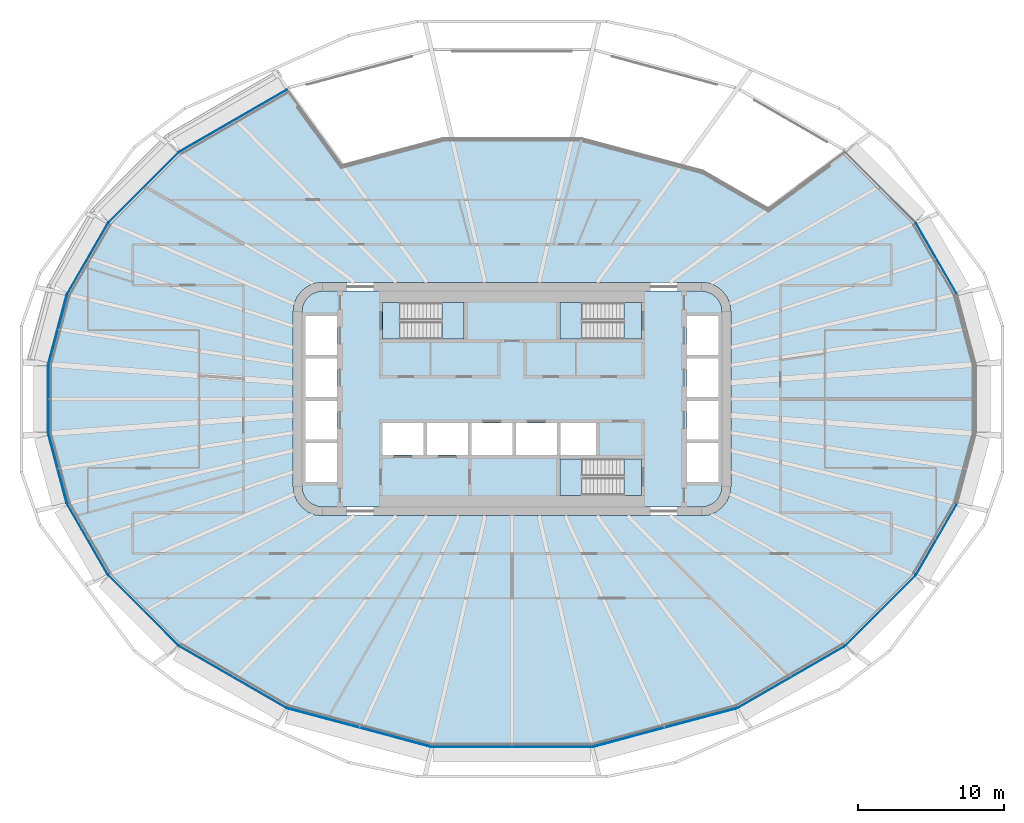
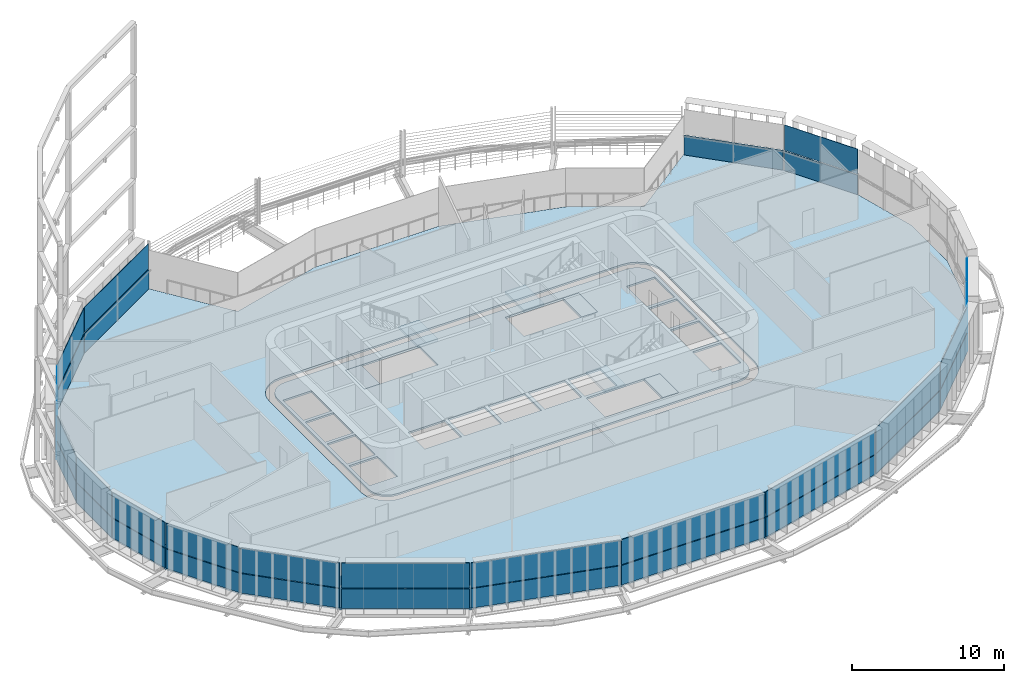
# One storey, part 12 of 25: 33 plates, 8 slabs, 20 elements without a shape of their own.
"""IFC4 building model written with IfcOpenShell, lengths in metres."""

from ifc_helpers import new_model, si_unit, direction, frame, origin, place, context, subcontext, project, spatial, polyline, outline, extrude, material, layer, layer_set, type_object, element, aggregate, save


model = new_model("IFC4")

# Units and contexts
model_context = context("Model", 3, precision=1e-05, world=origin(), true_north=direction((0.0, 1.0)))
body_context = subcontext(model_context, "Body", "Model", "MODEL_VIEW")
ifc_project = project(units=[si_unit("LENGTHUNIT", "METRE"), si_unit("AREAUNIT", "SQUARE_METRE"), si_unit("VOLUMEUNIT", "CUBIC_METRE"), si_unit("PLANEANGLEUNIT", "RADIAN"), si_unit("MASSUNIT", "GRAM", prefix="KILO")], contexts=[model_context])

# Site, building, storey
site_placement = place(None, origin())
site = spatial("IfcSite", under=ifc_project, at=site_placement, CompositionType="ELEMENT")
building_placement = place(site_placement, origin())
building = spatial("IfcBuilding", under=site, at=building_placement, Name="Sahrelin Media Tower", CompositionType="ELEMENT")
storey_placement = place(building_placement, frame((0.0, 0.0, 127.199951171875)))
storey = spatial("IfcBuildingStorey", under=building, at=storey_placement, Name="L25", CompositionType="ELEMENT", Elevation=127.199951171875)

# Slabs
ifc_material_1 = material(Name="Concrete C40/50", Category="concrete")
ifc_layer_1 = layer(ifc_material_1, 0.14990234375)
ifc_layer_set_1 = layer_set([ifc_layer_1], Name="Composite floor slab 150")
slab_type_1 = type_object("IfcSlabType", Name="Composite floor slab 150", PredefinedType="FLOOR", material=ifc_layer_set_1)
placement_1 = place(storey_placement, frame((0.0, 0.0, -0.14990234375)))
element("IfcSlab", 1, at=placement_1, inside=storey, type_object=slab_type_1, Name="Floor slab L25", PredefinedType="FLOOR", context=body_context, shape_type="SweptSolid", body=[
    extrude(outline(polyline([(30.493408203125, -7.16796875), (31.7783203125, -2.373291015625), (31.7783203125, 2.373291015625), (30.493408203125, 7.16796875), (27.6689453125, 12.06005859375), (22.8154296875, 16.91357421875), (22.810302734375, 16.91650390625), (17.5751953125, 13.0341796875), (13.098388671875, 15.61865234375), (4.71630859375, 17.86474609375), (-4.71630859375, 17.86474609375), (-11.6357421875, 16.010498046875), (-15.401611328125, 21.1923828125), (-15.406494140625, 21.191162109375), (-22.8154296875, 16.91357421875), (-27.6689453125, 12.06005859375), (-30.493408203125, 7.16796875), (-31.7783203125, 2.373291015625), (-31.7783203125, -2.373291015625), (-30.493408203125, -7.16796875), (-27.6689453125, -12.06005859375), (-22.8154296875, -16.91357421875), (-15.406494140625, -21.191162109375), (-5.503662109375, -23.8447265625), (5.503662109375, -23.8447265625), (15.406494140625, -21.191162109375), (22.8154296875, -16.91357421875), (27.6689453125, -12.06005859375), (30.493408203125, -7.16796875)]), holes=[polyline([(14.732177734375, 7.0), (14.931884765625, 6.517578125), (15.0, 6.0), (15.0, -6.0), (14.931884765625, -6.517578125), (14.732177734375, -7.0), (14.414306640625, -7.414306640625), (14.0, -7.732177734375), (13.517578125, -7.931884765625), (13.0, -8.0), (-13.0, -8.0), (-13.517578125, -7.931884765625), (-14.0, -7.732177734375), (-14.414306640625, -7.414306640625), (-14.732177734375, -7.0), (-14.931884765625, -6.517578125), (-15.0, -6.0), (-15.0, 6.0), (-14.931884765625, 6.517578125), (-14.732177734375, 7.0), (-14.414306640625, 7.414306640625), (-14.0, 7.732177734375), (-13.517578125, 7.931884765625), (-13.0, 8.0), (13.0, 8.0), (13.517578125, 7.931884765625), (14.0, 7.732177734375), (14.414306640625, 7.414306640625), (14.732177734375, 7.0)])]), origin(), (0.0, 0.0, 1.0), 0.14990234375),
])
ifc_layer_2 = layer(ifc_material_1, 0.14990234375)
ifc_layer_set_2 = layer_set([ifc_layer_2], Name="Core floor slab 150")
slab_type_2 = type_object("IfcSlabType", Name="Core floor slab 150", PredefinedType="FLOOR", material=ifc_layer_set_2)
element("IfcSlab", 2, at=placement_1, inside=storey, type_object=slab_type_2, Name="Core floor", PredefinedType="FLOOR", context=body_context, shape_type="SweptSolid", body=[
    extrude(outline(polyline([(-14.347412109375, 6.361083984375), (-14.39990234375, 5.960693359375), (-14.39990234375, -5.960693359375), (-14.347412109375, -6.361083984375), (-14.2080078125, -6.697509765625), (-13.986328125, -6.986328125), (-13.697509765625, -7.2080078125), (-13.361083984375, -7.347412109375), (-12.960693359375, -7.39990234375), (12.960693359375, -7.39990234375), (13.361083984375, -7.347412109375), (13.697509765625, -7.2080078125), (13.986328125, -6.986328125), (14.2080078125, -6.697509765625), (14.347412109375, -6.361083984375), (14.39990234375, -5.960693359375), (14.39990234375, 5.960693359375), (14.347412109375, 6.361083984375), (14.2080078125, 6.697509765625), (13.986328125, 6.986328125), (13.697509765625, 7.2080078125), (13.361083984375, 7.347412109375), (12.960693359375, 7.39990234375), (-12.960693359375, 7.39990234375), (-13.361083984375, 7.347412109375), (-13.697509765625, 7.2080078125), (-13.986328125, 6.986328125), (-14.2080078125, 6.697509765625), (-14.347412109375, 6.361083984375)]), holes=[polyline([(-12.0, 3.02490234375), (-12.0, 5.675048828125), (-14.14990234375, 5.675048828125), (-14.14990234375, 3.02490234375), (-12.0, 3.02490234375)]), polyline([(-14.14990234375, 0.125), (-12.0, 0.125), (-12.0, 2.77490234375), (-14.14990234375, 2.77490234375), (-14.14990234375, 0.125)]), polyline([(-14.14990234375, -0.125), (-14.14990234375, -2.77490234375), (-12.0, -2.77490234375), (-12.0, -0.125), (-14.14990234375, -0.125)]), polyline([(-12.0, -3.02490234375), (-14.14990234375, -3.02490234375), (-14.14990234375, -5.675048828125), (-12.0, -5.675048828125), (-12.0, -3.02490234375)]), polyline([(14.14990234375, 3.02490234375), (14.14990234375, 5.675048828125), (12.0, 5.675048828125), (12.0, 3.02490234375), (14.14990234375, 3.02490234375)]), polyline([(12.0, 0.125), (14.14990234375, 0.125), (14.14990234375, 2.77490234375), (12.0, 2.77490234375), (12.0, 0.125)]), polyline([(12.0, -0.125), (12.0, -2.77490234375), (14.14990234375, -2.77490234375), (14.14990234375, -0.125), (12.0, -0.125)]), polyline([(14.14990234375, -3.02490234375), (12.0, -3.02490234375), (12.0, -5.675048828125), (14.14990234375, -5.675048828125), (14.14990234375, -3.02490234375)]), polyline([(-6.074951171875, -3.85009765625), (-6.074951171875, -1.64990234375), (-8.875, -1.64990234375), (-8.875, -3.85009765625), (-6.074951171875, -3.85009765625)]), polyline([(-5.824951171875, -3.85009765625), (-3.02490234375, -3.85009765625), (-3.02490234375, -1.64990234375), (-5.824951171875, -1.64990234375), (-5.824951171875, -3.85009765625)]), polyline([(-2.77490234375, -1.64990234375), (-2.77490234375, -3.85009765625), (0.02490234375, -3.85009765625), (0.02490234375, -1.64990234375), (-2.77490234375, -1.64990234375)]), polyline([(3.074951171875, -1.64990234375), (0.27490234375, -1.64990234375), (0.27490234375, -3.85009765625), (3.074951171875, -3.85009765625), (3.074951171875, -1.64990234375)]), polyline([(5.77490234375, -3.85009765625), (5.77490234375, -1.64990234375), (3.324951171875, -1.64990234375), (3.324951171875, -3.85009765625), (5.77490234375, -3.85009765625)]), polyline([(-8.875, 6.60009765625), (-8.875, 4.10009765625), (-3.27490234375, 4.10009765625), (-3.27490234375, 6.60009765625), (-8.875, 6.60009765625)]), polyline([(3.27490234375, 4.10009765625), (8.875, 4.10009765625), (8.875, 6.60009765625), (3.27490234375, 6.60009765625), (3.27490234375, 4.10009765625)]), polyline([(3.27490234375, -4.10009765625), (3.27490234375, -6.60009765625), (8.875, -6.60009765625), (8.875, -4.10009765625), (3.27490234375, -4.10009765625)])]), origin(), (0.0, 0.0, 1.0), 0.14990234375),
])

# Curtain wall, plate
ifc_material_2 = material(Name="Champagne anodised aluminium 6063-T6", Category="aluminium")
ifc_layer_3 = layer(ifc_material_2, 0.14990234375)
ifc_layer_set_3 = layer_set([ifc_layer_3], Name="Tower ribbon curtain wall")
curtain_wall_type = type_object("IfcCurtainWallType", Name="Tower ribbon curtain wall", PredefinedType="NOTDEFINED", material=ifc_layer_set_3)
curtain_wall_1_placement = place(storey_placement, frame((29.098388671875, 9.6240234375, 0.0), z_axis=(0.0, 0.0, 1.0), x_axis=(1.0, 0.0, 0.0)))
curtain_wall_1 = element("IfcCurtainWall", 3, at=curtain_wall_1_placement, inside=storey, type_object=curtain_wall_type, Name="L25:CW:L25-02", PredefinedType="NOTDEFINED")
ifc_material_3 = material(Name="Clear low-iron glazing", Category="glass")
ifc_layer_4 = layer(ifc_material_3, 0.0400390625)
ifc_layer_set_4 = layer_set([ifc_layer_4], Name="Glazing panel 40 mm CW1")
plate_type_1 = type_object("IfcPlateType", Name="Glazing panel 40 mm CW1", PredefinedType="CURTAIN_PANEL", material=ifc_layer_set_4)
plate_1_placement = place(storey_placement, frame((30.50439453125, 7.22900390625, 1.630126953125), z_axis=(0.86602454734, 0.500001483402, 0.0), x_axis=(-0.500001483402, 0.86602454734, 0.0)))
plate_1 = element("IfcPlate", 4, at=plate_1_placement, type_object=plate_type_1, Name="L25:CWP2:L25-02", PredefinedType="CURTAIN_PANEL", context=body_context, shape_type="SweptSolid", body=[
    extrude(outline(polyline([(0.0, 0.0), (5.55419921875, 0.0), (5.55419921875, 2.0185546875), (0.0, 2.0185546875), (0.0, 0.0)])), origin(), (0.0, 0.0, -1.0), 0.0400390625),
])

curtain_wall_2_placement = place(storey_placement, frame((-19.12109375, 19.069580078125, 0.0), z_axis=(0.0, 0.0, 1.0), x_axis=(1.0, 0.0, 0.0)))
curtain_wall_2 = element("IfcCurtainWall", 5, at=curtain_wall_2_placement, inside=storey, type_object=curtain_wall_type, Name="L25:CW:L25-08", PredefinedType="NOTDEFINED")
plate_2_placement = place(storey_placement, frame((-15.467529296875, 21.2021484375, 1.630126953125), z_axis=(-0.500003053156, 0.866023641037, 0.0), x_axis=(-0.866023641037, -0.500003053156, 0.0)))
plate_2 = element("IfcPlate", 6, at=plate_2_placement, type_object=plate_type_1, Name="L25:CWP2:L25-08", PredefinedType="CURTAIN_PANEL", context=body_context, shape_type="SweptSolid", body=[
    extrude(outline(polyline([(0.0, 0.0), (8.46044921875, 0.0), (8.46044921875, 2.0185546875), (0.0, 2.0185546875), (0.0, 0.0)])), origin(), (0.0, 0.0, -1.0), 0.0400390625),
])

curtain_wall_3_placement = place(storey_placement, frame((-25.25634765625, 14.5009765625, 0.0), z_axis=(0.0, 0.0, 1.0), x_axis=(1.0, 0.0, 0.0)))
curtain_wall_3 = element("IfcCurtainWall", 7, at=curtain_wall_3_placement, inside=storey, type_object=curtain_wall_type, Name="L25:CW:L25-09", PredefinedType="NOTDEFINED")
plate_3_placement = place(storey_placement, frame((-22.877197265625, 16.908447265625, 1.630126953125), z_axis=(-0.707106781187, 0.707106781187, 0.0), x_axis=(-0.707106781187, -0.707106781187, 0.0)))
plate_3 = element("IfcPlate", 8, at=plate_3_placement, type_object=plate_type_1, Name="L25:CWP2:L25-09", PredefinedType="CURTAIN_PANEL", context=body_context, shape_type="SweptSolid", body=[
    extrude(outline(polyline([(0.0, 0.0), (6.769287109375, 0.0), (6.769287109375, 2.0185546875), (0.0, 2.0185546875), (0.0, 0.0)])), origin(), (0.0, 0.0, -1.0), 0.0400390625),
])

curtain_wall_4_placement = place(storey_placement, frame((-29.098388671875, 9.6240234375, 0.0), z_axis=(0.0, 0.0, 1.0), x_axis=(1.0, 0.0, 0.0)))
curtain_wall_4 = element("IfcCurtainWall", 9, at=curtain_wall_4_placement, inside=storey, type_object=curtain_wall_type, Name="L25:CW:L25-10", PredefinedType="NOTDEFINED")
plate_4_placement = place(storey_placement, frame((-27.727294921875, 12.0390625, 1.630126953125), z_axis=(-0.86602454734, 0.500001483402, 0.0), x_axis=(-0.500001483402, -0.86602454734, 0.0)))
plate_4 = element("IfcPlate", 10, at=plate_4_placement, type_object=plate_type_1, Name="L25:CWP2:L25-10", PredefinedType="CURTAIN_PANEL", context=body_context, shape_type="SweptSolid", body=[
    extrude(outline(polyline([(0.0, 0.0), (5.55419921875, 0.0), (5.55419921875, 2.0185546875), (0.0, 2.0185546875), (0.0, 0.0)])), origin(), (0.0, 0.0, -1.0), 0.0400390625),
])

curtain_wall_5_placement = place(storey_placement, frame((-31.155029296875, 4.77587890625, 0.0), z_axis=(0.0, 0.0, 1.0), x_axis=(1.0, 0.0, 0.0)))
curtain_wall_5 = element("IfcCurtainWall", 11, at=curtain_wall_5_placement, inside=storey, type_object=curtain_wall_type, Name="L25:CW:L25-11", PredefinedType="NOTDEFINED")
plate_5_placement = place(storey_placement, frame((-30.544189453125, 7.132568359375, 1.630126953125), z_axis=(-0.965913807006, 0.258863897512, 0.0), x_axis=(-0.258863897512, -0.965913807006, 0.0)))
plate_5 = element("IfcPlate", 12, at=plate_5_placement, type_object=plate_type_1, Name="L25:CWP2:L25-11", PredefinedType="CURTAIN_PANEL", context=body_context, shape_type="SweptSolid", body=[
    extrude(outline(polyline([(0.0, 0.0), (4.869384765625, 0.0), (4.869384765625, 2.0185546875), (0.0, 2.0185546875), (0.0, 0.0)])), origin(), (0.0, 0.0, -1.0), 0.0400390625),
])

curtain_wall_6_placement = place(storey_placement, frame((-31.798095703125, 0.0, 0.0), z_axis=(0.0, 0.0, 1.0), x_axis=(1.0, 0.0, 0.0)))
curtain_wall_6 = element("IfcCurtainWall", 13, at=curtain_wall_6_placement, inside=storey, type_object=curtain_wall_type, Name="L25:CW:L25-12", PredefinedType="NOTDEFINED")
plate_6_placement = place(storey_placement, frame((-31.818115234375, 2.32568359375, 1.630126953125), z_axis=(-1.0, 0.0, 0.0), x_axis=(0.0, -1.0, 0.0)))
plate_6 = element("IfcPlate", 14, at=plate_6_placement, type_object=plate_type_1, Name="L25:CWP2:L25-12", PredefinedType="CURTAIN_PANEL", context=body_context, shape_type="SweptSolid", body=[
    extrude(outline(polyline([(0.0, 0.0), (4.6513671875, 0.0), (4.6513671875, 2.0185546875), (0.0, 2.0185546875), (0.0, 0.0)])), origin(), (0.0, 0.0, -1.0), 0.0400390625),
])

curtain_wall_7_placement = place(storey_placement, frame((-31.155029296875, -4.775634765625, 0.0), z_axis=(0.0, 0.0, 1.0), x_axis=(1.0, 0.0, 0.0)))
curtain_wall_7 = element("IfcCurtainWall", 15, at=curtain_wall_7_placement, inside=storey, type_object=curtain_wall_type, Name="L25:CW:L25-13", PredefinedType="NOTDEFINED")
plate_7_placement = place(storey_placement, frame((-31.8046875, -2.42919921875, 1.630126953125), z_axis=(-0.965913807006, -0.258863897512, 0.0), x_axis=(0.258863897512, -0.965913807006, 0.0)))
plate_7 = element("IfcPlate", 16, at=plate_7_placement, type_object=plate_type_1, Name="L25:CWP2:L25-13", PredefinedType="CURTAIN_PANEL", context=body_context, shape_type="SweptSolid", body=[
    extrude(outline(polyline([(0.0, 0.0), (4.869384765625, 0.0), (4.869384765625, 2.0185546875), (0.0, 2.0185546875), (0.0, 0.0)])), origin(), (0.0, 0.0, -1.0), 0.0400390625),
])

curtain_wall_8_placement = place(storey_placement, frame((-29.098388671875, -9.6240234375, 0.0), z_axis=(0.0, 0.0, 1.0), x_axis=(1.0, 0.0, 0.0)))
curtain_wall_8 = element("IfcCurtainWall", 17, at=curtain_wall_8_placement, inside=storey, type_object=curtain_wall_type, Name="L25:CW:L25-14", PredefinedType="NOTDEFINED")
plate_8_placement = place(storey_placement, frame((-30.50439453125, -7.22900390625, 1.630126953125), z_axis=(-0.86602454734, -0.500001483402, 0.0), x_axis=(0.500001483402, -0.86602454734, 0.0)))
plate_8 = element("IfcPlate", 18, at=plate_8_placement, type_object=plate_type_1, Name="L25:CWP2:L25-14", PredefinedType="CURTAIN_PANEL", context=body_context, shape_type="SweptSolid", body=[
    extrude(outline(polyline([(0.0, 0.0), (5.55419921875, 0.0), (5.55419921875, 2.0185546875), (0.0, 2.0185546875), (0.0, 0.0)])), origin(), (0.0, 0.0, -1.0), 0.0400390625),
])

curtain_wall_9_placement = place(storey_placement, frame((-25.25634765625, -14.5009765625, 0.0), z_axis=(0.0, 0.0, 1.0), x_axis=(1.0, 0.0, 0.0)))
curtain_wall_9 = element("IfcCurtainWall", 19, at=curtain_wall_9_placement, inside=storey, type_object=curtain_wall_type, Name="L25:CW:L25-15", PredefinedType="NOTDEFINED")
plate_9_placement = place(storey_placement, frame((-27.663818359375, -12.121826171875, 1.630126953125), z_axis=(-0.707106781187, -0.707106781187, 0.0), x_axis=(0.707106781187, -0.707106781187, 0.0)))
plate_9 = element("IfcPlate", 20, at=plate_9_placement, type_object=plate_type_1, Name="L25:CWP2:L25-15", PredefinedType="CURTAIN_PANEL", context=body_context, shape_type="SweptSolid", body=[
    extrude(outline(polyline([(0.0, 0.0), (6.769287109375, 0.0), (6.769287109375, 2.0185546875), (0.0, 2.0185546875), (0.0, 0.0)])), origin(), (0.0, 0.0, -1.0), 0.0400390625),
])

curtain_wall_10_placement = place(storey_placement, frame((-19.12109375, -19.069580078125, 0.0), z_axis=(0.0, 0.0, 1.0), x_axis=(1.0, 0.0, 0.0)))
curtain_wall_10 = element("IfcCurtainWall", 21, at=curtain_wall_10_placement, inside=storey, type_object=curtain_wall_type, Name="L25:CW:L25-16", PredefinedType="NOTDEFINED")
plate_10_placement = place(storey_placement, frame((-22.79443359375, -16.971923828125, 1.630126953125), z_axis=(-0.500003053156, -0.866023641037, 0.0), x_axis=(0.866023641037, -0.500003053156, 0.0)))
plate_10 = element("IfcPlate", 22, at=plate_10_placement, type_object=plate_type_1, Name="L25:CWP2:L25-16", PredefinedType="CURTAIN_PANEL", context=body_context, shape_type="SweptSolid", body=[
    extrude(outline(polyline([(0.0, 0.0), (8.46044921875, 0.0), (8.46044921875, 2.0185546875), (0.0, 2.0185546875), (0.0, 0.0)])), origin(), (0.0, 0.0, -1.0), 0.0400390625),
])

curtain_wall_11_placement = place(storey_placement, frame((-10.460205078125, -22.537353515625, 0.0), z_axis=(0.0, 0.0, 1.0), x_axis=(1.0, 0.0, 0.0)))
curtain_wall_11 = element("IfcCurtainWall", 23, at=curtain_wall_11_placement, inside=storey, type_object=curtain_wall_type, Name="L25:CW:L25-17", PredefinedType="NOTDEFINED")
plate_11_placement = place(storey_placement, frame((-15.37109375, -21.2421875, 1.630126953125), z_axis=(-0.2588173812, -0.965926272129, 0.0), x_axis=(0.965926272129, -0.2588173812, 0.0)))
plate_11 = element("IfcPlate", 24, at=plate_11_placement, type_object=plate_type_1, Name="L25:CWP2:L25-17", PredefinedType="CURTAIN_PANEL", context=body_context, shape_type="SweptSolid", body=[
    extrude(outline(polyline([(0.0, 0.0), (10.157470703125, 0.0), (10.157470703125, 2.0185546875), (0.0, 2.0185546875), (0.0, 0.0)])), origin(), (0.0, 0.0, -1.0), 0.0400390625),
])

curtain_wall_12_placement = place(storey_placement, frame((0.0, -23.86474609375, 0.0), z_axis=(0.0, 0.0, 1.0), x_axis=(1.0, 0.0, 0.0)))
curtain_wall_12 = element("IfcCurtainWall", 25, at=curtain_wall_12_placement, inside=storey, type_object=curtain_wall_type, Name="L25:CW:L25-18", PredefinedType="NOTDEFINED")
plate_12_placement = place(storey_placement, frame((-5.456298828125, -23.884765625, 1.630126953125), z_axis=(0.0, -1.0, 0.0), x_axis=(1.0, 0.0, 0.0)))
plate_12 = element("IfcPlate", 26, at=plate_12_placement, type_object=plate_type_1, Name="L25:CWP2:L25-18", PredefinedType="CURTAIN_PANEL", context=body_context, shape_type="SweptSolid", body=[
    extrude(outline(polyline([(0.0, 0.0), (10.91259765625, 0.0), (10.91259765625, 2.0185546875), (0.0, 2.0185546875), (0.0, 0.0)])), origin(), (0.0, 0.0, -1.0), 0.0400390625),
])

curtain_wall_13_placement = place(storey_placement, frame((10.460205078125, -22.537353515625, 0.0), z_axis=(0.0, 0.0, 1.0), x_axis=(1.0, 0.0, 0.0)))
curtain_wall_13 = element("IfcCurtainWall", 27, at=curtain_wall_13_placement, inside=storey, type_object=curtain_wall_type, Name="L25:CW:L25-19", PredefinedType="NOTDEFINED")
plate_13_placement = place(storey_placement, frame((5.559814453125, -23.87109375, 1.630126953125), z_axis=(0.2588173812, -0.965926272129, 0.0), x_axis=(0.965926272129, 0.2588173812, 0.0)))
plate_13 = element("IfcPlate", 28, at=plate_13_placement, type_object=plate_type_1, Name="L25:CWP2:L25-19", PredefinedType="CURTAIN_PANEL", context=body_context, shape_type="SweptSolid", body=[
    extrude(outline(polyline([(0.0, 0.0), (10.157470703125, 0.0), (10.157470703125, 2.0185546875), (0.0, 2.0185546875), (0.0, 0.0)])), origin(), (0.0, 0.0, -1.0), 0.0400390625),
])

curtain_wall_14_placement = place(storey_placement, frame((19.12109375, -19.069580078125, 0.0), z_axis=(0.0, 0.0, 1.0), x_axis=(1.0, 0.0, 0.0)))
curtain_wall_14 = element("IfcCurtainWall", 29, at=curtain_wall_14_placement, inside=storey, type_object=curtain_wall_type, Name="L25:CW:L25-20", PredefinedType="NOTDEFINED")
plate_14_placement = place(storey_placement, frame((15.467529296875, -21.2021484375, 1.630126953125), z_axis=(0.500003053156, -0.866023641037, 0.0), x_axis=(0.866023641037, 0.500003053156, 0.0)))
plate_14 = element("IfcPlate", 30, at=plate_14_placement, type_object=plate_type_1, Name="L25:CWP2:L25-20", PredefinedType="CURTAIN_PANEL", context=body_context, shape_type="SweptSolid", body=[
    extrude(outline(polyline([(0.0, 0.0), (8.46044921875, 0.0), (8.46044921875, 2.0185546875), (0.0, 2.0185546875), (0.0, 0.0)])), origin(), (0.0, 0.0, -1.0), 0.0400390625),
])

curtain_wall_15_placement = place(storey_placement, frame((25.25634765625, -14.5009765625, 0.0), z_axis=(0.0, 0.0, 1.0), x_axis=(1.0, 0.0, 0.0)))
curtain_wall_15 = element("IfcCurtainWall", 31, at=curtain_wall_15_placement, inside=storey, type_object=curtain_wall_type, Name="L25:CW:L25-21", PredefinedType="NOTDEFINED")
plate_15_placement = place(storey_placement, frame((22.877197265625, -16.908447265625, 1.630126953125), z_axis=(0.707106781187, -0.707106781187, 0.0), x_axis=(0.707106781187, 0.707106781187, 0.0)))
plate_15 = element("IfcPlate", 32, at=plate_15_placement, type_object=plate_type_1, Name="L25:CWP2:L25-21", PredefinedType="CURTAIN_PANEL", context=body_context, shape_type="SweptSolid", body=[
    extrude(outline(polyline([(0.0, 0.0), (6.769287109375, 0.0), (6.769287109375, 2.0185546875), (0.0, 2.0185546875), (0.0, 0.0)])), origin(), (0.0, 0.0, -1.0), 0.0400390625),
])

curtain_wall_16_placement = place(storey_placement, frame((29.098388671875, -9.6240234375, 0.0), z_axis=(0.0, 0.0, 1.0), x_axis=(1.0, 0.0, 0.0)))
curtain_wall_16 = element("IfcCurtainWall", 33, at=curtain_wall_16_placement, inside=storey, type_object=curtain_wall_type, Name="L25:CW:L25-22", PredefinedType="NOTDEFINED")
plate_16_placement = place(storey_placement, frame((27.727294921875, -12.0390625, 1.630126953125), z_axis=(0.86602454734, -0.500001483402, 0.0), x_axis=(0.500001483402, 0.86602454734, 0.0)))
plate_16 = element("IfcPlate", 34, at=plate_16_placement, type_object=plate_type_1, Name="L25:CWP2:L25-22", PredefinedType="CURTAIN_PANEL", context=body_context, shape_type="SweptSolid", body=[
    extrude(outline(polyline([(0.0, 0.0), (5.55419921875, 0.0), (5.55419921875, 2.0185546875), (0.0, 2.0185546875), (0.0, 0.0)])), origin(), (0.0, 0.0, -1.0), 0.0400390625),
])

# Plate
ifc_material_4 = material(Name="Insulated spandrel panel")
ifc_layer_5 = layer(ifc_material_4, 0.06005859375)
ifc_layer_set_5 = layer_set([ifc_layer_5], Name="Spandrel panel 60 mm CW1")
plate_type_2 = type_object("IfcPlateType", Name="Spandrel panel 60 mm CW1", PredefinedType="SHEET", material=ifc_layer_set_5)
plate_17_placement = place(storey_placement, frame((30.50439453125, 7.22900390625, 0.0), z_axis=(0.86602454734, 0.500001483402, 0.0), x_axis=(-0.500001483402, 0.86602454734, 0.0)))
plate_17 = element("IfcPlate", 35, at=plate_17_placement, type_object=plate_type_2, Name="L25:CWP1:L25-02", PredefinedType="SHEET", context=body_context, shape_type="SweptSolid", body=[
    extrude(outline(polyline([(0.0, 0.0), (5.55419921875, 0.0), (5.55419921875, 1.570068359375), (0.0, 1.570068359375), (0.0, 0.0)])), origin(), (0.0, 0.0, -1.0), 0.06005859375),
])

aggregate(curtain_wall_1, [plate_17, plate_1])

# Curtain wall, plate
curtain_wall_17_placement = place(storey_placement, frame((25.25634765625, 14.5009765625, 0.0), z_axis=(0.0, 0.0, 1.0), x_axis=(1.0, 0.0, 0.0)))
curtain_wall_17 = element("IfcCurtainWall", 36, at=curtain_wall_17_placement, inside=storey, type_object=curtain_wall_type, Name="L25:CW:L25-03", PredefinedType="NOTDEFINED")
plate_18_placement = place(storey_placement, frame((27.663818359375, 12.121826171875, 0.0), z_axis=(0.707106781187, 0.707106781187, 0.0), x_axis=(-0.707106781187, 0.707106781187, 0.0)))
plate_18 = element("IfcPlate", 37, at=plate_18_placement, type_object=plate_type_2, Name="L25:CWP1:L25-03", PredefinedType="SHEET", context=body_context, shape_type="SweptSolid", body=[
    extrude(outline(polyline([(0.0, 0.0), (6.769287109375, 0.0), (6.769287109375, 1.570068359375), (0.0, 1.570068359375), (0.0, 0.0)])), origin(), (0.0, 0.0, -1.0), 0.06005859375),
])
aggregate(curtain_wall_17, [plate_18])

# Plate
plate_19_placement = place(storey_placement, frame((-15.467529296875, 21.2021484375, 0.0), z_axis=(-0.500003053156, 0.866023641037, 0.0), x_axis=(-0.866023641037, -0.500003053156, 0.0)))
plate_19 = element("IfcPlate", 38, at=plate_19_placement, type_object=plate_type_2, Name="L25:CWP1:L25-08", PredefinedType="SHEET", context=body_context, shape_type="SweptSolid", body=[
    extrude(outline(polyline([(0.0, 0.0), (8.46044921875, 0.0), (8.46044921875, 1.570068359375), (0.0, 1.570068359375), (0.0, 0.0)])), origin(), (0.0, 0.0, -1.0), 0.06005859375),
])

aggregate(curtain_wall_2, [plate_19, plate_2])

plate_20_placement = place(storey_placement, frame((-22.877197265625, 16.908447265625, 0.0), z_axis=(-0.707106781187, 0.707106781187, 0.0), x_axis=(-0.707106781187, -0.707106781187, 0.0)))
plate_20 = element("IfcPlate", 39, at=plate_20_placement, type_object=plate_type_2, Name="L25:CWP1:L25-09", PredefinedType="SHEET", context=body_context, shape_type="SweptSolid", body=[
    extrude(outline(polyline([(0.0, 0.0), (6.769287109375, 0.0), (6.769287109375, 1.570068359375), (0.0, 1.570068359375), (0.0, 0.0)])), origin(), (0.0, 0.0, -1.0), 0.06005859375),
])

aggregate(curtain_wall_3, [plate_20, plate_3])

plate_21_placement = place(storey_placement, frame((-27.727294921875, 12.0390625, 0.0), z_axis=(-0.86602454734, 0.500001483402, 0.0), x_axis=(-0.500001483402, -0.86602454734, 0.0)))
plate_21 = element("IfcPlate", 40, at=plate_21_placement, type_object=plate_type_2, Name="L25:CWP1:L25-10", PredefinedType="SHEET", context=body_context, shape_type="SweptSolid", body=[
    extrude(outline(polyline([(0.0, 0.0), (5.55419921875, 0.0), (5.55419921875, 1.570068359375), (0.0, 1.570068359375), (0.0, 0.0)])), origin(), (0.0, 0.0, -1.0), 0.06005859375),
])

aggregate(curtain_wall_4, [plate_21, plate_4])

plate_22_placement = place(storey_placement, frame((-30.544189453125, 7.132568359375, 0.0), z_axis=(-0.965913807006, 0.258863897512, 0.0), x_axis=(-0.258863897512, -0.965913807006, 0.0)))
plate_22 = element("IfcPlate", 41, at=plate_22_placement, type_object=plate_type_2, Name="L25:CWP1:L25-11", PredefinedType="SHEET", context=body_context, shape_type="SweptSolid", body=[
    extrude(outline(polyline([(0.0, 0.0), (4.869384765625, 0.0), (4.869384765625, 1.570068359375), (0.0, 1.570068359375), (0.0, 0.0)])), origin(), (0.0, 0.0, -1.0), 0.06005859375),
])

aggregate(curtain_wall_5, [plate_22, plate_5])

plate_23_placement = place(storey_placement, frame((-31.818115234375, 2.32568359375, 0.0), z_axis=(-1.0, 0.0, 0.0), x_axis=(0.0, -1.0, 0.0)))
plate_23 = element("IfcPlate", 42, at=plate_23_placement, type_object=plate_type_2, Name="L25:CWP1:L25-12", PredefinedType="SHEET", context=body_context, shape_type="SweptSolid", body=[
    extrude(outline(polyline([(0.0, 0.0), (4.6513671875, 0.0), (4.6513671875, 1.570068359375), (0.0, 1.570068359375), (0.0, 0.0)])), origin(), (0.0, 0.0, -1.0), 0.06005859375),
])

aggregate(curtain_wall_6, [plate_23, plate_6])

plate_24_placement = place(storey_placement, frame((-31.8046875, -2.42919921875, 0.0), z_axis=(-0.965913807006, -0.258863897512, 0.0), x_axis=(0.258863897512, -0.965913807006, 0.0)))
plate_24 = element("IfcPlate", 43, at=plate_24_placement, type_object=plate_type_2, Name="L25:CWP1:L25-13", PredefinedType="SHEET", context=body_context, shape_type="SweptSolid", body=[
    extrude(outline(polyline([(0.0, 0.0), (4.869384765625, 0.0), (4.869384765625, 1.570068359375), (0.0, 1.570068359375), (0.0, 0.0)])), origin(), (0.0, 0.0, -1.0), 0.06005859375),
])

aggregate(curtain_wall_7, [plate_24, plate_7])

plate_25_placement = place(storey_placement, frame((-30.50439453125, -7.22900390625, 0.0), z_axis=(-0.86602454734, -0.500001483402, 0.0), x_axis=(0.500001483402, -0.86602454734, 0.0)))
plate_25 = element("IfcPlate", 44, at=plate_25_placement, type_object=plate_type_2, Name="L25:CWP1:L25-14", PredefinedType="SHEET", context=body_context, shape_type="SweptSolid", body=[
    extrude(outline(polyline([(0.0, 0.0), (5.55419921875, 0.0), (5.55419921875, 1.570068359375), (0.0, 1.570068359375), (0.0, 0.0)])), origin(), (0.0, 0.0, -1.0), 0.06005859375),
])

aggregate(curtain_wall_8, [plate_25, plate_8])

plate_26_placement = place(storey_placement, frame((-27.663818359375, -12.121826171875, 0.0), z_axis=(-0.707106781187, -0.707106781187, 0.0), x_axis=(0.707106781187, -0.707106781187, 0.0)))
plate_26 = element("IfcPlate", 45, at=plate_26_placement, type_object=plate_type_2, Name="L25:CWP1:L25-15", PredefinedType="SHEET", context=body_context, shape_type="SweptSolid", body=[
    extrude(outline(polyline([(0.0, 0.0), (6.769287109375, 0.0), (6.769287109375, 1.570068359375), (0.0, 1.570068359375), (0.0, 0.0)])), origin(), (0.0, 0.0, -1.0), 0.06005859375),
])

aggregate(curtain_wall_9, [plate_26, plate_9])

plate_27_placement = place(storey_placement, frame((-22.79443359375, -16.971923828125, 0.0), z_axis=(-0.500003053156, -0.866023641037, 0.0), x_axis=(0.866023641037, -0.500003053156, 0.0)))
plate_27 = element("IfcPlate", 46, at=plate_27_placement, type_object=plate_type_2, Name="L25:CWP1:L25-16", PredefinedType="SHEET", context=body_context, shape_type="SweptSolid", body=[
    extrude(outline(polyline([(0.0, 0.0), (8.46044921875, 0.0), (8.46044921875, 1.570068359375), (0.0, 1.570068359375), (0.0, 0.0)])), origin(), (0.0, 0.0, -1.0), 0.06005859375),
])

aggregate(curtain_wall_10, [plate_27, plate_10])

plate_28_placement = place(storey_placement, frame((-15.37109375, -21.2421875, 0.0), z_axis=(-0.2588173812, -0.965926272129, 0.0), x_axis=(0.965926272129, -0.2588173812, 0.0)))
plate_28 = element("IfcPlate", 47, at=plate_28_placement, type_object=plate_type_2, Name="L25:CWP1:L25-17", PredefinedType="SHEET", context=body_context, shape_type="SweptSolid", body=[
    extrude(outline(polyline([(0.0, 0.0), (10.157470703125, 0.0), (10.157470703125, 1.570068359375), (0.0, 1.570068359375), (0.0, 0.0)])), origin(), (0.0, 0.0, -1.0), 0.06005859375),
])

aggregate(curtain_wall_11, [plate_28, plate_11])

plate_29_placement = place(storey_placement, frame((-5.456298828125, -23.884765625, 0.0), z_axis=(0.0, -1.0, 0.0), x_axis=(1.0, 0.0, 0.0)))
plate_29 = element("IfcPlate", 48, at=plate_29_placement, type_object=plate_type_2, Name="L25:CWP1:L25-18", PredefinedType="SHEET", context=body_context, shape_type="SweptSolid", body=[
    extrude(outline(polyline([(0.0, 0.0), (10.91259765625, 0.0), (10.91259765625, 1.570068359375), (0.0, 1.570068359375), (0.0, 0.0)])), origin(), (0.0, 0.0, -1.0), 0.06005859375),
])

aggregate(curtain_wall_12, [plate_29, plate_12])

plate_30_placement = place(storey_placement, frame((5.559814453125, -23.87109375, 0.0), z_axis=(0.2588173812, -0.965926272129, 0.0), x_axis=(0.965926272129, 0.2588173812, 0.0)))
plate_30 = element("IfcPlate", 49, at=plate_30_placement, type_object=plate_type_2, Name="L25:CWP1:L25-19", PredefinedType="SHEET", context=body_context, shape_type="SweptSolid", body=[
    extrude(outline(polyline([(0.0, 0.0), (10.157470703125, 0.0), (10.157470703125, 1.570068359375), (0.0, 1.570068359375), (0.0, 0.0)])), origin(), (0.0, 0.0, -1.0), 0.06005859375),
])

aggregate(curtain_wall_13, [plate_30, plate_13])

plate_31_placement = place(storey_placement, frame((15.467529296875, -21.2021484375, 0.0), z_axis=(0.500003053156, -0.866023641037, 0.0), x_axis=(0.866023641037, 0.500003053156, 0.0)))
plate_31 = element("IfcPlate", 50, at=plate_31_placement, type_object=plate_type_2, Name="L25:CWP1:L25-20", PredefinedType="SHEET", context=body_context, shape_type="SweptSolid", body=[
    extrude(outline(polyline([(0.0, 0.0), (8.46044921875, 0.0), (8.46044921875, 1.570068359375), (0.0, 1.570068359375), (0.0, 0.0)])), origin(), (0.0, 0.0, -1.0), 0.06005859375),
])

aggregate(curtain_wall_14, [plate_31, plate_14])

plate_32_placement = place(storey_placement, frame((22.877197265625, -16.908447265625, 0.0), z_axis=(0.707106781187, -0.707106781187, 0.0), x_axis=(0.707106781187, 0.707106781187, 0.0)))
plate_32 = element("IfcPlate", 51, at=plate_32_placement, type_object=plate_type_2, Name="L25:CWP1:L25-21", PredefinedType="SHEET", context=body_context, shape_type="SweptSolid", body=[
    extrude(outline(polyline([(0.0, 0.0), (6.769287109375, 0.0), (6.769287109375, 1.570068359375), (0.0, 1.570068359375), (0.0, 0.0)])), origin(), (0.0, 0.0, -1.0), 0.06005859375),
])

aggregate(curtain_wall_15, [plate_32, plate_15])

plate_33_placement = place(storey_placement, frame((27.727294921875, -12.0390625, 0.0), z_axis=(0.86602454734, -0.500001483402, 0.0), x_axis=(0.500001483402, 0.86602454734, 0.0)))
plate_33 = element("IfcPlate", 52, at=plate_33_placement, type_object=plate_type_2, Name="L25:CWP1:L25-22", PredefinedType="SHEET", context=body_context, shape_type="SweptSolid", body=[
    extrude(outline(polyline([(0.0, 0.0), (5.55419921875, 0.0), (5.55419921875, 1.570068359375), (0.0, 1.570068359375), (0.0, 0.0)])), origin(), (0.0, 0.0, -1.0), 0.06005859375),
])

aggregate(curtain_wall_16, [plate_33, plate_16])

# Stair, slabs
stair_type = type_object("IfcStairType", Name="Exit stair 1200", PredefinedType="HALF_TURN_STAIR", material=ifc_material_1)
placement_2 = place(storey_placement, origin())
stair_1 = element("IfcStair", 53, at=placement_2, inside=storey, type_object=stair_type, Name="L25 Exit stair ST1", PredefinedType="HALF_TURN_STAIR")
ifc_layer_6 = layer(ifc_material_1, 0.199951171875)
ifc_layer_set_6 = layer_set([ifc_layer_6], Name="Stair landing 200")
slab_type_3 = type_object("IfcSlabType", Name="Stair landing 200", PredefinedType="LANDING", material=ifc_layer_set_6)
placement_3 = place(storey_placement, frame((0.0, 0.0, 1.900146484375)))
slab_3 = element("IfcSlab", 54, at=placement_3, type_object=slab_type_3, Name="ST1 landing 1", PredefinedType="LANDING", context=body_context, shape_type="SweptSolid", body=[
    extrude(outline(polyline([(-4.81494140625, 4.10009765625), (-3.27490234375, 4.10009765625), (-3.27490234375, 6.60009765625), (-4.81494140625, 6.60009765625), (-4.81494140625, 4.10009765625)])), origin(), (0.0, 0.0, 1.0), 0.199951171875),
])
placement_4 = place(storey_placement, frame((0.0, 0.0, -0.199951171875)))
slab_4 = element("IfcSlab", 55, at=placement_4, type_object=slab_type_3, Name="ST1 landing 2", PredefinedType="LANDING", context=body_context, shape_type="SweptSolid", body=[
    extrude(outline(polyline([(-8.875, 4.10009765625), (-7.675048828125, 4.10009765625), (-7.675048828125, 6.60009765625), (-8.875, 6.60009765625), (-8.875, 4.10009765625)])), origin(), (0.0, 0.0, 1.0), 0.199951171875),
])
aggregate(stair_1, [slab_3, slab_4])

stair_2 = element("IfcStair", 56, at=placement_2, inside=storey, type_object=stair_type, Name="L25 Exit stair ST3", PredefinedType="HALF_TURN_STAIR")
slab_5 = element("IfcSlab", 57, at=placement_3, type_object=slab_type_3, Name="ST3 landing 1", PredefinedType="LANDING", context=body_context, shape_type="SweptSolid", body=[
    extrude(outline(polyline([(4.81494140625, 6.60009765625), (3.27490234375, 6.60009765625), (3.27490234375, 4.10009765625), (4.81494140625, 4.10009765625), (4.81494140625, 6.60009765625)])), origin(), (0.0, 0.0, 1.0), 0.199951171875),
])
slab_6 = element("IfcSlab", 58, at=placement_4, type_object=slab_type_3, Name="ST3 landing 2", PredefinedType="LANDING", context=body_context, shape_type="SweptSolid", body=[
    extrude(outline(polyline([(8.875, 6.60009765625), (7.675048828125, 6.60009765625), (7.675048828125, 4.10009765625), (8.875, 4.10009765625), (8.875, 6.60009765625)])), origin(), (0.0, 0.0, 1.0), 0.199951171875),
])
aggregate(stair_2, [slab_5, slab_6])

stair_3 = element("IfcStair", 59, at=placement_2, inside=storey, type_object=stair_type, Name="L25 Exit stair ST2", PredefinedType="HALF_TURN_STAIR")
slab_7 = element("IfcSlab", 60, at=placement_3, type_object=slab_type_3, Name="ST2 landing 1", PredefinedType="LANDING", context=body_context, shape_type="SweptSolid", body=[
    extrude(outline(polyline([(4.81494140625, -4.10009765625), (3.27490234375, -4.10009765625), (3.27490234375, -6.60009765625), (4.81494140625, -6.60009765625), (4.81494140625, -4.10009765625)])), origin(), (0.0, 0.0, 1.0), 0.199951171875),
])
slab_8 = element("IfcSlab", 61, at=placement_4, type_object=slab_type_3, Name="ST2 landing 2", PredefinedType="LANDING", context=body_context, shape_type="SweptSolid", body=[
    extrude(outline(polyline([(8.875, -4.10009765625), (7.675048828125, -4.10009765625), (7.675048828125, -6.60009765625), (8.875, -6.60009765625), (8.875, -4.10009765625)])), origin(), (0.0, 0.0, 1.0), 0.199951171875),
])
aggregate(stair_3, [slab_7, slab_8])

save(model, "model.ifc")
